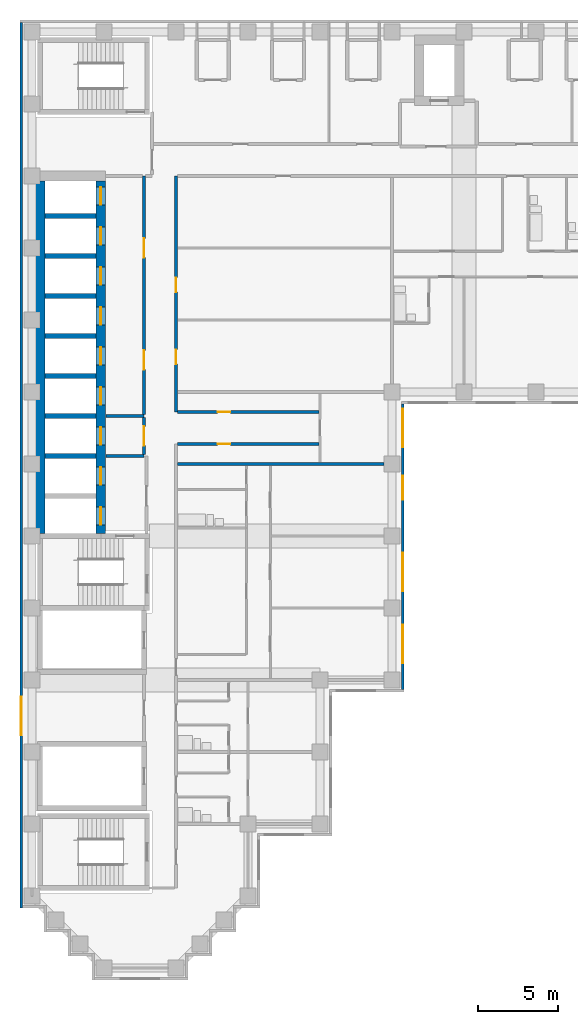
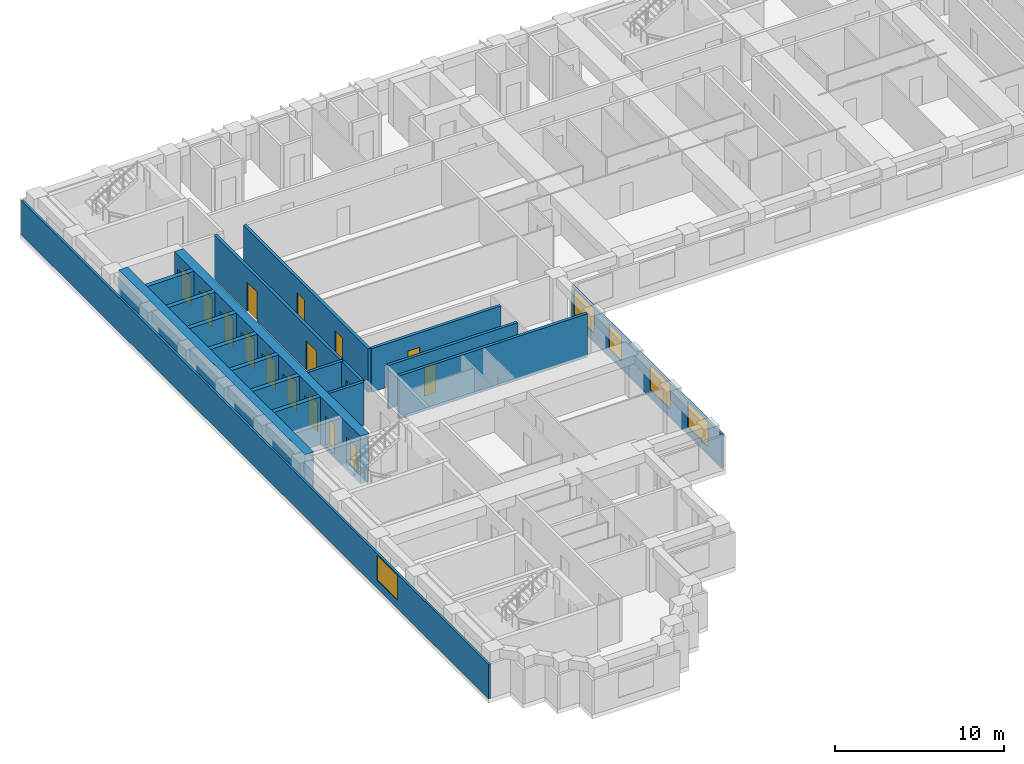
# One storey, part 4 of 12: 19 walls, 16 doors, 5 windows, 21 openings.
"""IFC4 building model written with IfcOpenShell, lengths in metres."""

from ifc_helpers import new_model, si_unit, direction, frame, frame_2d, origin, place, context, subcontext, project, spatial, rectangle, extrude, material, layer, layer_set, type_object, element, fill, save


model = new_model("IFC4")

# Units and contexts
model_context = context("Model", 3, precision=1e-05, world=origin(), true_north=direction((0.0, 1.0)))
body_context = subcontext(model_context, "Body", "Model", "MODEL_VIEW")
ifc_project = project(units=[si_unit("LENGTHUNIT", "METRE"), si_unit("AREAUNIT", "SQUARE_METRE"), si_unit("VOLUMEUNIT", "CUBIC_METRE"), si_unit("PLANEANGLEUNIT", "RADIAN"), si_unit("MASSUNIT", "GRAM", prefix="KILO")], contexts=[model_context])

# Site, building, storey
site_placement = place(None, origin())
site = spatial("IfcSite", under=ifc_project, at=site_placement, CompositionType="ELEMENT")
building_placement = place(site_placement, origin())
building = spatial("IfcBuilding", under=site, at=building_placement, Name="Firuza Court", CompositionType="ELEMENT")
storey_placement = place(building_placement, frame((0.0, 0.0, 170.0)))
storey = spatial("IfcBuildingStorey", under=building, at=storey_placement, Name="L43", CompositionType="ELEMENT", Elevation=170.0)

# Walls
ifc_material_1 = material(Name="Concrete C60/75", Category="concrete")
ifc_layer_1 = layer(ifc_material_1, 0.300048828125)
ifc_layer_set_1 = layer_set([ifc_layer_1], Name="Concrete C60/75")
wall_type_1 = type_object("IfcWallType", Name="Core wall 300 C60/75", PredefinedType="SHEAR", material=ifc_layer_set_1)
for number, where, z_axis, x_axis, name in (
    (1, (0.800048828125, 32.0, -0.300048828125), (0.0, 0.0, 1.0), (1.0, 0.0, 0.0), "Core wall lift shaft L43"),
    (2, (0.800048828125, 34.5, -0.300048828125), (0.0, 0.0, 1.0), (1.0, 0.0, 0.0), "Core wall lift shaft L43"),
    (3, (0.800048828125, 37.0, -0.300048828125), (0.0, 0.0, 1.0), (1.0, 0.0, 0.0), "Core wall lift shaft L43"),
    (4, (0.800048828125, 39.5, -0.300048828125), (0.0, 0.0, 1.0), (1.0, 0.0, 0.0), "Core wall lift shaft L43"),
    (5, (0.800048828125, 42.0, -0.300048828125), (0.0, 0.0, 1.0), (1.0, 0.0, 0.0), "Core wall lift shaft L43"),
    (6, (0.800048828125, 44.5, -0.300048828125), (0.0, 0.0, 1.0), (1.0, 0.0, 0.0), "Core wall lift shaft L43"),
    (7, (0.800048828125, 47.0, -0.300048828125), (0.0, 0.0, 1.0), (1.0, 0.0, 0.0), "Core wall lift shaft L43"),
):
    element("IfcWall", number, at=place(storey_placement, frame(where, z_axis=z_axis, x_axis=x_axis)), inside=storey, type_object=wall_type_1, Name=name, PredefinedType="SHEAR", context=body_context, shape_type="SweptSolid", body=[
        extrude(rectangle(XDim=3.199951171875, YDim=0.300048828125, at=frame_2d((1.60009765625, 0.0))), origin(), (0.0, 0.0, 1.0), 3.449951171875),
    ])
ifc_layer_2 = layer(ifc_material_1, 0.60009765625)
ifc_layer_set_2 = layer_set([ifc_layer_2], Name="Concrete C60/75")
wall_type_2 = type_object("IfcWallType", Name="Core wall 600 C60/75", PredefinedType="SHEAR", material=ifc_layer_set_2)
wall_1_placement = place(storey_placement, frame((0.5, 27.14990234375, -0.300048828125), z_axis=(0.0, 0.0, 1.0), x_axis=(0.0, 1.0, 0.0)))
element("IfcWall", 8, at=wall_1_placement, inside=storey, type_object=wall_type_2, Name="Core wall lift shaft L43", PredefinedType="SHEAR", context=body_context, shape_type="SweptSolid", body=[
    extrude(rectangle(XDim=22.050048828125, YDim=0.60009765625, at=frame_2d((11.02490234375, 0.0))), origin(), (0.0, 0.0, 1.0), 3.449951171875),
])

# Wall, openings, doors
wall_2_placement = place(storey_placement, frame((4.300048828125, 27.14990234375, -0.300048828125), z_axis=(0.0, 0.0, 1.0), x_axis=(0.0, 1.0, 0.0)))
wall_2 = element("IfcWall", 9, at=wall_2_placement, inside=storey, type_object=wall_type_2, Name="Core wall lift shaft L43", PredefinedType="SHEAR", context=body_context, shape_type="SweptSolid", body=[
    extrude(rectangle(XDim=22.050048828125, YDim=0.60009765625, at=frame_2d((11.02490234375, 0.0))), origin(), (0.0, 0.0, 1.0), 3.449951171875),
])
opening_1_placement = place(wall_2_placement, frame((3.050048828125, 0.0, 0.300048828125)))
opening_1 = element("IfcOpeningElement", 10, at=opening_1_placement, cuts=wall_2, Name="Opening LD-FL1-43", PredefinedType="OPENING", context=body_context, shape_type="SweptSolid", body=[
    extrude(rectangle(XDim=1.10009765625, YDim=2.10009765625, at=frame_2d((0.550048828125, 1.050048828125))), frame((0.0, 0.31201171875, 0.0), z_axis=(0.0, -1.0, 0.0), x_axis=(1.0, 0.0, 0.0)), (0.0, 0.0, 1.0), 0.6240234375),
])
opening_2_placement = place(wall_2_placement, frame((0.550048828125, 0.0, 0.300048828125)))
opening_2 = element("IfcOpeningElement", 11, at=opening_2_placement, cuts=wall_2, Name="Opening LD-FL2-43", PredefinedType="OPENING", context=body_context, shape_type="SweptSolid", body=[
    extrude(rectangle(XDim=1.10009765625, YDim=2.10009765625, at=frame_2d((0.550048828125, 1.050048828125))), frame((0.0, 0.31201171875, 0.0), z_axis=(0.0, -1.0, 0.0), x_axis=(1.0, 0.0, 0.0)), (0.0, 0.0, 1.0), 0.6240234375),
])
opening_3_placement = place(wall_2_placement, frame((20.550048828125, 0.0, 0.300048828125)))
opening_3 = element("IfcOpeningElement", 12, at=opening_3_placement, cuts=wall_2, Name="Opening LD-HB1-43", PredefinedType="OPENING", context=body_context, shape_type="SweptSolid", body=[
    extrude(rectangle(XDim=1.10009765625, YDim=2.10009765625, at=frame_2d((0.550048828125, 1.050048828125))), frame((0.0, 0.31201171875, 0.0), z_axis=(0.0, -1.0, 0.0), x_axis=(1.0, 0.0, 0.0)), (0.0, 0.0, 1.0), 0.6240234375),
])
opening_4_placement = place(wall_2_placement, frame((18.050048828125, 0.0, 0.300048828125)))
opening_4 = element("IfcOpeningElement", 13, at=opening_4_placement, cuts=wall_2, Name="Opening LD-HB2-43", PredefinedType="OPENING", context=body_context, shape_type="SweptSolid", body=[
    extrude(rectangle(XDim=1.10009765625, YDim=2.10009765625, at=frame_2d((0.550048828125, 1.050048828125))), frame((0.0, 0.31201171875, 0.0), z_axis=(0.0, -1.0, 0.0), x_axis=(1.0, 0.0, 0.0)), (0.0, 0.0, 1.0), 0.6240234375),
])
opening_5_placement = place(wall_2_placement, frame((15.550048828125, 0.0, 0.300048828125)))
opening_5 = element("IfcOpeningElement", 14, at=opening_5_placement, cuts=wall_2, Name="Opening LD-HB3-43", PredefinedType="OPENING", context=body_context, shape_type="SweptSolid", body=[
    extrude(rectangle(XDim=1.10009765625, YDim=2.10009765625, at=frame_2d((0.550048828125, 1.050048828125))), frame((0.0, 0.31201171875, 0.0), z_axis=(0.0, -1.0, 0.0), x_axis=(1.0, 0.0, 0.0)), (0.0, 0.0, 1.0), 0.6240234375),
])
opening_6_placement = place(wall_2_placement, frame((13.050048828125, 0.0, 0.300048828125)))
opening_6 = element("IfcOpeningElement", 15, at=opening_6_placement, cuts=wall_2, Name="Opening LD-HB4-43", PredefinedType="OPENING", context=body_context, shape_type="SweptSolid", body=[
    extrude(rectangle(XDim=1.10009765625, YDim=2.10009765625, at=frame_2d((0.550048828125, 1.050048828125))), frame((0.0, 0.31201171875, 0.0), z_axis=(0.0, -1.0, 0.0), x_axis=(1.0, 0.0, 0.0)), (0.0, 0.0, 1.0), 0.6240234375),
])
opening_7_placement = place(wall_2_placement, frame((10.550048828125, 0.0, 0.300048828125)))
opening_7 = element("IfcOpeningElement", 16, at=opening_7_placement, cuts=wall_2, Name="Opening LD-HB5-43", PredefinedType="OPENING", context=body_context, shape_type="SweptSolid", body=[
    extrude(rectangle(XDim=1.10009765625, YDim=2.10009765625, at=frame_2d((0.550048828125, 1.050048828125))), frame((0.0, 0.31201171875, 0.0), z_axis=(0.0, -1.0, 0.0), x_axis=(1.0, 0.0, 0.0)), (0.0, 0.0, 1.0), 0.6240234375),
])
opening_8_placement = place(wall_2_placement, frame((8.050048828125, 0.0, 0.300048828125)))
opening_8 = element("IfcOpeningElement", 17, at=opening_8_placement, cuts=wall_2, Name="Opening LD-HB6-43", PredefinedType="OPENING", context=body_context, shape_type="SweptSolid", body=[
    extrude(rectangle(XDim=1.10009765625, YDim=2.10009765625, at=frame_2d((0.550048828125, 1.050048828125))), frame((0.0, 0.31201171875, 0.0), z_axis=(0.0, -1.0, 0.0), x_axis=(1.0, 0.0, 0.0)), (0.0, 0.0, 1.0), 0.6240234375),
])
opening_9_placement = place(wall_2_placement, frame((5.550048828125, 0.0, 0.300048828125)))
opening_9 = element("IfcOpeningElement", 18, at=opening_9_placement, cuts=wall_2, Name="Opening LD-SL1-43", PredefinedType="OPENING", context=body_context, shape_type="SweptSolid", body=[
    extrude(rectangle(XDim=1.10009765625, YDim=2.10009765625, at=frame_2d((0.550048828125, 1.050048828125))), frame((0.0, 0.31201171875, 0.0), z_axis=(0.0, -1.0, 0.0), x_axis=(1.0, 0.0, 0.0)), (0.0, 0.0, 1.0), 0.6240234375),
])
ifc_material_2 = material(Name="Stainless steel 1.4301 door leaf", Category="steel")
door_type_1 = type_object("IfcDoorType", Name="Lift landing door 1100", OperationType="SLIDING_TO_LEFT", PredefinedType="DOOR", material=ifc_material_2)
door_1_placement = place(opening_1_placement, origin())
door_1 = element("IfcDoor", 19, at=door_1_placement, inside=storey, type_object=door_type_1, Name="Landing door FL1", OperationType="SLIDING_TO_LEFT", OverallHeight=2.10009765625, OverallWidth=1.10009765625, PredefinedType="DOOR", context=body_context, shape_type="SweptSolid", body=[
    extrude(rectangle(XDim=1.10009765625, YDim=2.10009765625, at=frame_2d((0.550048828125, 1.050048828125))), frame((0.0, 0.02490234375, 0.0), z_axis=(0.0, -1.0, 0.0), x_axis=(1.0, 0.0, 0.0)), (0.0, 0.0, 1.0), 0.050048828125),
])
fill(opening_1, door_1)
door_2_placement = place(opening_2_placement, origin())
door_2 = element("IfcDoor", 20, at=door_2_placement, inside=storey, type_object=door_type_1, Name="Landing door FL2", OperationType="SLIDING_TO_LEFT", OverallHeight=2.10009765625, OverallWidth=1.10009765625, PredefinedType="DOOR", context=body_context, shape_type="SweptSolid", body=[
    extrude(rectangle(XDim=1.10009765625, YDim=2.10009765625, at=frame_2d((0.550048828125, 1.050048828125))), frame((0.0, 0.02490234375, 0.0), z_axis=(0.0, -1.0, 0.0), x_axis=(1.0, 0.0, 0.0)), (0.0, 0.0, 1.0), 0.050048828125),
])
fill(opening_2, door_2)
door_3_placement = place(opening_3_placement, origin())
door_3 = element("IfcDoor", 21, at=door_3_placement, inside=storey, type_object=door_type_1, Name="Landing door HB1", OperationType="SLIDING_TO_LEFT", OverallHeight=2.10009765625, OverallWidth=1.10009765625, PredefinedType="DOOR", context=body_context, shape_type="SweptSolid", body=[
    extrude(rectangle(XDim=1.10009765625, YDim=2.10009765625, at=frame_2d((0.550048828125, 1.050048828125))), frame((0.0, 0.02490234375, 0.0), z_axis=(0.0, -1.0, 0.0), x_axis=(1.0, 0.0, 0.0)), (0.0, 0.0, 1.0), 0.050048828125),
])
fill(opening_3, door_3)
door_4_placement = place(opening_4_placement, origin())
door_4 = element("IfcDoor", 22, at=door_4_placement, inside=storey, type_object=door_type_1, Name="Landing door HB2", OperationType="SLIDING_TO_LEFT", OverallHeight=2.10009765625, OverallWidth=1.10009765625, PredefinedType="DOOR", context=body_context, shape_type="SweptSolid", body=[
    extrude(rectangle(XDim=1.10009765625, YDim=2.10009765625, at=frame_2d((0.550048828125, 1.050048828125))), frame((0.0, 0.02490234375, 0.0), z_axis=(0.0, -1.0, 0.0), x_axis=(1.0, 0.0, 0.0)), (0.0, 0.0, 1.0), 0.050048828125),
])
fill(opening_4, door_4)
door_5_placement = place(opening_5_placement, origin())
door_5 = element("IfcDoor", 23, at=door_5_placement, inside=storey, type_object=door_type_1, Name="Landing door HB3", OperationType="SLIDING_TO_LEFT", OverallHeight=2.10009765625, OverallWidth=1.10009765625, PredefinedType="DOOR", context=body_context, shape_type="SweptSolid", body=[
    extrude(rectangle(XDim=1.10009765625, YDim=2.10009765625, at=frame_2d((0.550048828125, 1.050048828125))), frame((0.0, 0.02490234375, 0.0), z_axis=(0.0, -1.0, 0.0), x_axis=(1.0, 0.0, 0.0)), (0.0, 0.0, 1.0), 0.050048828125),
])
fill(opening_5, door_5)
door_6_placement = place(opening_6_placement, origin())
door_6 = element("IfcDoor", 24, at=door_6_placement, inside=storey, type_object=door_type_1, Name="Landing door HB4", OperationType="SLIDING_TO_LEFT", OverallHeight=2.10009765625, OverallWidth=1.10009765625, PredefinedType="DOOR", context=body_context, shape_type="SweptSolid", body=[
    extrude(rectangle(XDim=1.10009765625, YDim=2.10009765625, at=frame_2d((0.550048828125, 1.050048828125))), frame((0.0, 0.02490234375, 0.0), z_axis=(0.0, -1.0, 0.0), x_axis=(1.0, 0.0, 0.0)), (0.0, 0.0, 1.0), 0.050048828125),
])
fill(opening_6, door_6)
door_7_placement = place(opening_7_placement, origin())
door_7 = element("IfcDoor", 25, at=door_7_placement, inside=storey, type_object=door_type_1, Name="Landing door HB5", OperationType="SLIDING_TO_LEFT", OverallHeight=2.10009765625, OverallWidth=1.10009765625, PredefinedType="DOOR", context=body_context, shape_type="SweptSolid", body=[
    extrude(rectangle(XDim=1.10009765625, YDim=2.10009765625, at=frame_2d((0.550048828125, 1.050048828125))), frame((0.0, 0.02490234375, 0.0), z_axis=(0.0, -1.0, 0.0), x_axis=(1.0, 0.0, 0.0)), (0.0, 0.0, 1.0), 0.050048828125),
])
fill(opening_7, door_7)
door_8_placement = place(opening_8_placement, origin())
door_8 = element("IfcDoor", 26, at=door_8_placement, inside=storey, type_object=door_type_1, Name="Landing door HB6", OperationType="SLIDING_TO_LEFT", OverallHeight=2.10009765625, OverallWidth=1.10009765625, PredefinedType="DOOR", context=body_context, shape_type="SweptSolid", body=[
    extrude(rectangle(XDim=1.10009765625, YDim=2.10009765625, at=frame_2d((0.550048828125, 1.050048828125))), frame((0.0, 0.02490234375, 0.0), z_axis=(0.0, -1.0, 0.0), x_axis=(1.0, 0.0, 0.0)), (0.0, 0.0, 1.0), 0.050048828125),
])
fill(opening_8, door_8)
door_9_placement = place(opening_9_placement, origin())
door_9 = element("IfcDoor", 27, at=door_9_placement, inside=storey, type_object=door_type_1, Name="Landing door SL1", OperationType="SLIDING_TO_LEFT", OverallHeight=2.10009765625, OverallWidth=1.10009765625, PredefinedType="DOOR", context=body_context, shape_type="SweptSolid", body=[
    extrude(rectangle(XDim=1.10009765625, YDim=2.10009765625, at=frame_2d((0.550048828125, 1.050048828125))), frame((0.0, 0.02490234375, 0.0), z_axis=(0.0, -1.0, 0.0), x_axis=(1.0, 0.0, 0.0)), (0.0, 0.0, 1.0), 0.050048828125),
])
fill(opening_9, door_9)

# Wall, opening, door
ifc_material_3 = material(Name="Blockwork, plastered both sides", Category="masonry")
ifc_layer_3 = layer(ifc_material_3, 0.199951171875)
ifc_layer_set_3 = layer_set([ifc_layer_3], Name="Blockwork, plastered both sides")
wall_type_3 = type_object("IfcWallType", Name="Corridor wall 200", PredefinedType="PARTITIONING", material=ifc_layer_set_3)
wall_3_placement = place(storey_placement, frame((9.10009765625, 32.75, 0.0), z_axis=(0.0, 0.0, 1.0), x_axis=(1.0, 0.0, 0.0)))
wall_3 = element("IfcWall", 28, at=wall_3_placement, inside=storey, type_object=wall_type_3, Name="Corridor wall 200 L43", PredefinedType="PARTITIONING", context=body_context, shape_type="SweptSolid", body=[
    extrude(rectangle(XDim=8.849853515625, YDim=0.199951171875, at=frame_2d((4.4248046875, 0.0))), origin(), (0.0, 0.0, 1.0), 3.14990234375),
])
opening_10_placement = place(wall_3_placement, frame((2.5, 0.0, 0.0)))
opening_10 = element("IfcOpeningElement", 29, at=opening_10_placement, cuts=wall_3, Name="Opening D43036", PredefinedType="OPENING", context=body_context, shape_type="SweptSolid", body=[
    extrude(rectangle(XDim=0.800048828125, YDim=2.10009765625, at=frame_2d((0.39990234375, 1.050048828125))), frame((0.0, 0.11181640625, 0.0), z_axis=(0.0, -1.0, 0.0), x_axis=(1.0, 0.0, 0.0)), (0.0, 0.0, 1.0), 0.223876953125),
])
ifc_material_4 = material(Name="Timber door leaf in hardwood frame", Category="wood")
door_type_2 = type_object("IfcDoorType", Name="Room door 800 EI 30", OperationType="SINGLE_SWING_LEFT", PredefinedType="DOOR", material=ifc_material_4)
door_10_placement = place(opening_10_placement, frame((0.800048828125, 0.0, 0.0), z_axis=(0.0, 0.0, 1.0), x_axis=(-1.0, 0.0, 0.0)))
door_10 = element("IfcDoor", 30, at=door_10_placement, inside=storey, type_object=door_type_2, Name="Store door", OperationType="SINGLE_SWING_RIGHT", OverallHeight=2.10009765625, OverallWidth=0.800048828125, PredefinedType="DOOR", context=body_context, shape_type="SweptSolid", body=[
    extrude(rectangle(XDim=0.800048828125, YDim=2.10009765625, at=frame_2d((0.39990234375, 1.050048828125))), frame((0.0, 0.02490234375, 0.0), z_axis=(0.0, -1.0, 0.0), x_axis=(1.0, 0.0, 0.0)), (0.0, 0.0, 1.0), 0.050048828125),
])
fill(opening_10, door_10)

# Wall, openings, doors
wall_4_placement = place(storey_placement, frame((9.0, 34.75, 0.0), z_axis=(0.0, 0.0, 1.0), x_axis=(0.0, 1.0, 0.0)))
wall_4 = element("IfcWall", 31, at=wall_4_placement, inside=storey, type_object=wall_type_3, Name="Corridor wall 200 L43", PredefinedType="PARTITIONING", context=body_context, shape_type="SweptSolid", body=[
    extrude(rectangle(XDim=14.75, YDim=0.199951171875, at=frame_2d((7.375, 0.0))), origin(), (0.0, 0.0, 1.0), 3.14990234375),
])
opening_11_placement = place(wall_4_placement, frame((3.0, 0.0, 0.0)))
opening_11 = element("IfcOpeningElement", 32, at=opening_11_placement, cuts=wall_4, Name="Opening D43037", PredefinedType="OPENING", context=body_context, shape_type="SweptSolid", body=[
    extrude(rectangle(XDim=0.89990234375, YDim=2.10009765625, at=frame_2d((0.449951171875, 1.050048828125))), frame((0.0, 0.11181640625, 0.0), z_axis=(0.0, -1.0, 0.0), x_axis=(1.0, 0.0, 0.0)), (0.0, 0.0, 1.0), 0.223876953125),
])
opening_12_placement = place(wall_4_placement, frame((7.5, 0.0, 0.0)))
opening_12 = element("IfcOpeningElement", 33, at=opening_12_placement, cuts=wall_4, Name="Opening D43038", PredefinedType="OPENING", context=body_context, shape_type="SweptSolid", body=[
    extrude(rectangle(XDim=0.89990234375, YDim=2.10009765625, at=frame_2d((0.449951171875, 1.050048828125))), frame((0.0, 0.11181640625, 0.0), z_axis=(0.0, -1.0, 0.0), x_axis=(1.0, 0.0, 0.0)), (0.0, 0.0, 1.0), 0.223876953125),
])
ifc_material_5 = material(Name="Timber door leaf in hardwood frame", Category="wood")
door_type_3 = type_object("IfcDoorType", Name="Room door 900 EI 30", OperationType="SINGLE_SWING_LEFT", PredefinedType="DOOR", material=ifc_material_5)
door_11_placement = place(opening_11_placement, frame((0.89990234375, 0.0, 0.0), z_axis=(0.0, 0.0, 1.0), x_axis=(-1.0, 0.0, 0.0)))
door_11 = element("IfcDoor", 34, at=door_11_placement, inside=storey, type_object=door_type_3, Name="Meeting room door", OperationType="SINGLE_SWING_RIGHT", OverallHeight=2.10009765625, OverallWidth=0.89990234375, PredefinedType="DOOR", context=body_context, shape_type="SweptSolid", body=[
    extrude(rectangle(XDim=0.89990234375, YDim=2.10009765625, at=frame_2d((0.449951171875, 1.050048828125))), frame((0.0, 0.02490234375, 0.0), z_axis=(0.0, -1.0, 0.0), x_axis=(1.0, 0.0, 0.0)), (0.0, 0.0, 1.0), 0.050048828125),
])
fill(opening_11, door_11)
door_12_placement = place(opening_12_placement, origin())
door_12 = element("IfcDoor", 35, at=door_12_placement, inside=storey, type_object=door_type_3, Name="Cinema room door", OperationType="SINGLE_SWING_LEFT", OverallHeight=2.10009765625, OverallWidth=0.89990234375, PredefinedType="DOOR", context=body_context, shape_type="SweptSolid", body=[
    extrude(rectangle(XDim=0.89990234375, YDim=2.10009765625, at=frame_2d((0.449951171875, 1.050048828125))), frame((0.0, 0.02490234375, 0.0), z_axis=(0.0, -1.0, 0.0), x_axis=(1.0, 0.0, 0.0)), (0.0, 0.0, 1.0), 0.050048828125),
])
fill(opening_12, door_12)

# Wall, opening, door
wall_5_placement = place(storey_placement, frame((9.10009765625, 34.75, 0.0), z_axis=(0.0, 0.0, 1.0), x_axis=(1.0, 0.0, 0.0)))
wall_5 = element("IfcWall", 36, at=wall_5_placement, inside=storey, type_object=wall_type_3, Name="Corridor wall 200 L43", PredefinedType="PARTITIONING", context=body_context, shape_type="SweptSolid", body=[
    extrude(rectangle(XDim=8.849853515625, YDim=0.199951171875, at=frame_2d((4.4248046875, 0.0))), origin(), (0.0, 0.0, 1.0), 3.14990234375),
])
opening_13_placement = place(wall_5_placement, frame((2.5, 0.0, 0.0)))
opening_13 = element("IfcOpeningElement", 37, at=opening_13_placement, cuts=wall_5, Name="Opening D43039", PredefinedType="OPENING", context=body_context, shape_type="SweptSolid", body=[
    extrude(rectangle(XDim=0.800048828125, YDim=2.10009765625, at=frame_2d((0.39990234375, 1.050048828125))), frame((0.0, 0.11181640625, 0.0), z_axis=(0.0, -1.0, 0.0), x_axis=(1.0, 0.0, 0.0)), (0.0, 0.0, 1.0), 0.223876953125),
])
door_13_placement = place(opening_13_placement, origin())
door_13 = element("IfcDoor", 38, at=door_13_placement, inside=storey, type_object=door_type_2, Name="Store door", OperationType="SINGLE_SWING_LEFT", OverallHeight=2.10009765625, OverallWidth=0.800048828125, PredefinedType="DOOR", context=body_context, shape_type="SweptSolid", body=[
    extrude(rectangle(XDim=0.800048828125, YDim=2.10009765625, at=frame_2d((0.39990234375, 1.050048828125))), frame((0.0, 0.02490234375, 0.0), z_axis=(0.0, -1.0, 0.0), x_axis=(1.0, 0.0, 0.0)), (0.0, 0.0, 1.0), 0.050048828125),
])
fill(opening_13, door_13)

# Wall
ifc_layer_4 = layer(ifc_material_3, 0.199951171875)
ifc_layer_set_4 = layer_set([ifc_layer_4], Name="Blockwork, plastered both sides")
wall_type_4 = type_object("IfcWallType", Name="Party wall 200", PredefinedType="PARTITIONING", material=ifc_layer_set_4)
wall_6_placement = place(storey_placement, frame((9.10009765625, 31.5, 0.0), z_axis=(0.0, 0.0, 1.0), x_axis=(1.0, 0.0, 0.0)))
element("IfcWall", 39, at=wall_6_placement, inside=storey, type_object=wall_type_4, Name="Party wall 200 L43", PredefinedType="PARTITIONING", context=body_context, shape_type="SweptSolid", body=[
    extrude(rectangle(XDim=12.89990234375, YDim=0.199951171875, at=frame_2d((6.449951171875, 0.0))), origin(), (0.0, 0.0, 1.0), 3.14990234375),
])

# Wall, openings, windows
ifc_material_6 = material(Name="Ceramic tile", Category="ceramic")
ifc_layer_5 = layer(ifc_material_6, 0.02001953125)
ifc_material_7 = material(Name="Mineral wool insulation", Category="insulation")
ifc_layer_6 = layer(ifc_material_7, 0.050048828125)
ifc_material_8 = material(Name="Concrete C40/50 precast", Category="concrete")
ifc_layer_7 = layer(ifc_material_8, 0.080078125)
ifc_layer_set_5 = layer_set([ifc_layer_5, ifc_layer_6, ifc_layer_7], Name="Concrete C40/50 precast")
wall_type_5 = type_object("IfcWallType", Name="Precast cladding wall with turquoise TILE PANEL face 150", PredefinedType="STANDARD", material=ifc_layer_set_5)
wall_7_placement = place(storey_placement, frame((23.175048828125, 17.39990234375, 0.0), z_axis=(0.0, 0.0, 1.0), x_axis=(0.0, 1.0, 0.0)))
wall_7 = element("IfcWall", 40, at=wall_7_placement, inside=storey, type_object=wall_type_5, Name="Facade wall L43 E", PredefinedType="STANDARD", context=body_context, shape_type="SweptSolid", body=[
    extrude(rectangle(XDim=17.85009765625, YDim=0.14990234375, at=frame_2d((8.925048828125, 0.0))), origin(), (0.0, 0.0, 1.0), 2.5),
])
opening_14_placement = place(wall_7_placement, frame((1.64990234375, 0.0, 0.60009765625)))
opening_14 = element("IfcOpeningElement", 41, at=opening_14_placement, cuts=wall_7, Name="Opening W1", PredefinedType="OPENING", context=body_context, shape_type="SweptSolid", body=[
    extrude(rectangle(XDim=2.39990234375, YDim=1.800048828125, at=frame_2d((1.199951171875, 0.89990234375))), frame((0.0, 0.0869140625, 0.0), z_axis=(0.0, -1.0, 0.0), x_axis=(1.0, 0.0, 0.0)), (0.0, 0.0, 1.0), 0.173828125),
])
opening_15_placement = place(wall_7_placement, frame((6.14990234375, 0.0, 0.60009765625)))
opening_15 = element("IfcOpeningElement", 42, at=opening_15_placement, cuts=wall_7, Name="Opening W1", PredefinedType="OPENING", context=body_context, shape_type="SweptSolid", body=[
    extrude(rectangle(XDim=2.39990234375, YDim=1.800048828125, at=frame_2d((1.199951171875, 0.89990234375))), frame((0.0, 0.0869140625, 0.0), z_axis=(0.0, -1.0, 0.0), x_axis=(1.0, 0.0, 0.0)), (0.0, 0.0, 1.0), 0.173828125),
])
opening_16_placement = place(wall_7_placement, frame((11.87451171875, 0.0, 0.60009765625)))
opening_16 = element("IfcOpeningElement", 43, at=opening_16_placement, cuts=wall_7, Name="Opening W2", PredefinedType="OPENING", context=body_context, shape_type="SweptSolid", body=[
    extrude(rectangle(XDim=1.5, YDim=1.800048828125, at=frame_2d((0.75, 0.89990234375))), frame((0.0, 0.0869140625, 0.0), z_axis=(0.0, -1.0, 0.0), x_axis=(1.0, 0.0, 0.0)), (0.0, 0.0, 1.0), 0.173828125),
])
opening_17_placement = place(wall_7_placement, frame((15.14990234375, 0.0, 0.60009765625)))
opening_17 = element("IfcOpeningElement", 44, at=opening_17_placement, cuts=wall_7, Name="Opening W1", PredefinedType="OPENING", context=body_context, shape_type="SweptSolid", body=[
    extrude(rectangle(XDim=2.39990234375, YDim=1.800048828125, at=frame_2d((1.199951171875, 0.89990234375))), frame((0.0, 0.0869140625, 0.0), z_axis=(0.0, -1.0, 0.0), x_axis=(1.0, 0.0, 0.0)), (0.0, 0.0, 1.0), 0.173828125),
])
ifc_material_9 = material(Name="Aluminium frame, triple clear glazing", Category="aluminium")
window_type_1 = type_object("IfcWindowType", Name="Window W1 2400 x 1800", PartitioningType="SINGLE_PANEL", PredefinedType="WINDOW", material=ifc_material_9)
window_1_placement = place(opening_14_placement, origin())
window_1 = element("IfcWindow", 45, at=window_1_placement, inside=storey, type_object=window_type_1, Name="Window L43", OverallHeight=1.800048828125, OverallWidth=2.39990234375, PartitioningType="SINGLE_PANEL", PredefinedType="WINDOW", context=body_context, shape_type="SweptSolid", body=[
    extrude(rectangle(XDim=2.39990234375, YDim=1.800048828125, at=frame_2d((1.199951171875, 0.89990234375))), frame((0.0, 0.030029296875, 0.0), z_axis=(0.0, -1.0, 0.0), x_axis=(1.0, 0.0, 0.0)), (0.0, 0.0, 1.0), 0.06005859375),
])
fill(opening_14, window_1)
window_2_placement = place(opening_15_placement, origin())
window_2 = element("IfcWindow", 46, at=window_2_placement, inside=storey, type_object=window_type_1, Name="Window L43", OverallHeight=1.800048828125, OverallWidth=2.39990234375, PartitioningType="SINGLE_PANEL", PredefinedType="WINDOW", context=body_context, shape_type="SweptSolid", body=[
    extrude(rectangle(XDim=2.39990234375, YDim=1.800048828125, at=frame_2d((1.199951171875, 0.89990234375))), frame((0.0, 0.030029296875, 0.0), z_axis=(0.0, -1.0, 0.0), x_axis=(1.0, 0.0, 0.0)), (0.0, 0.0, 1.0), 0.06005859375),
])
fill(opening_15, window_2)
window_3_placement = place(opening_17_placement, origin())
window_3 = element("IfcWindow", 47, at=window_3_placement, inside=storey, type_object=window_type_1, Name="Window L43", OverallHeight=1.800048828125, OverallWidth=2.39990234375, PartitioningType="SINGLE_PANEL", PredefinedType="WINDOW", context=body_context, shape_type="SweptSolid", body=[
    extrude(rectangle(XDim=2.39990234375, YDim=1.800048828125, at=frame_2d((1.199951171875, 0.89990234375))), frame((0.0, 0.030029296875, 0.0), z_axis=(0.0, -1.0, 0.0), x_axis=(1.0, 0.0, 0.0)), (0.0, 0.0, 1.0), 0.06005859375),
])
fill(opening_17, window_3)
ifc_material_10 = material(Name="Aluminium frame, triple clear glazing", Category="aluminium")
window_type_2 = type_object("IfcWindowType", Name="Window W2 1500 x 1800", PartitioningType="SINGLE_PANEL", PredefinedType="WINDOW", material=ifc_material_10)
window_4_placement = place(opening_16_placement, origin())
window_4 = element("IfcWindow", 48, at=window_4_placement, inside=storey, type_object=window_type_2, Name="Window L43", OverallHeight=1.800048828125, OverallWidth=1.5, PartitioningType="SINGLE_PANEL", PredefinedType="WINDOW", context=body_context, shape_type="SweptSolid", body=[
    extrude(rectangle(XDim=1.5, YDim=1.800048828125, at=frame_2d((0.75, 0.89990234375))), frame((0.0, 0.030029296875, 0.0), z_axis=(0.0, -1.0, 0.0), x_axis=(1.0, 0.0, 0.0)), (0.0, 0.0, 1.0), 0.06005859375),
])
fill(opening_16, window_4)

# Wall, opening, window
wall_8_placement = place(storey_placement, frame((-0.675048828125, 59.10009765625, 0.0), z_axis=(0.0, 0.0, 1.0), x_axis=(0.0, -1.0, 0.0)))
wall_8 = element("IfcWall", 49, at=wall_8_placement, inside=storey, type_object=wall_type_5, Name="Facade wall L43 W", PredefinedType="STANDARD", context=body_context, shape_type="SweptSolid", body=[
    extrude(rectangle(XDim=55.35009765625, YDim=0.14990234375, at=frame_2d((27.675048828125, 0.0))), origin(), (0.0, 0.0, 1.0), 2.5),
])
opening_18_placement = place(wall_8_placement, frame((42.14990234375, 0.0, 0.60009765625)))
opening_18 = element("IfcOpeningElement", 50, at=opening_18_placement, cuts=wall_8, Name="Opening W1", PredefinedType="OPENING", context=body_context, shape_type="SweptSolid", body=[
    extrude(rectangle(XDim=2.39990234375, YDim=1.800048828125, at=frame_2d((1.199951171875, 0.89990234375))), frame((0.0, 0.0869140625, 0.0), z_axis=(0.0, -1.0, 0.0), x_axis=(1.0, 0.0, 0.0)), (0.0, 0.0, 1.0), 0.173828125),
])
window_5_placement = place(opening_18_placement, origin())
window_5 = element("IfcWindow", 51, at=window_5_placement, inside=storey, type_object=window_type_1, Name="Window L43", OverallHeight=1.800048828125, OverallWidth=2.39990234375, PartitioningType="SINGLE_PANEL", PredefinedType="WINDOW", context=body_context, shape_type="SweptSolid", body=[
    extrude(rectangle(XDim=2.39990234375, YDim=1.800048828125, at=frame_2d((1.199951171875, 0.89990234375))), frame((0.0, 0.030029296875, 0.0), z_axis=(0.0, -1.0, 0.0), x_axis=(1.0, 0.0, 0.0)), (0.0, 0.0, 1.0), 0.06005859375),
])
fill(opening_18, window_5)

# Wall
ifc_material_11 = material(Name="Blockwork, fire-rated", Category="masonry")
ifc_layer_8 = layer(ifc_material_11, 0.199951171875)
ifc_layer_set_6 = layer_set([ifc_layer_8], Name="Blockwork, fire-rated")
wall_type_6 = type_object("IfcWallType", Name="Shaft wall 200", PredefinedType="PARTITIONING", material=ifc_layer_set_6)
wall_9_placement = place(storey_placement, frame((4.6201171875, 34.5, 0.0), z_axis=(0.0, 0.0, 1.0), x_axis=(1.0, 0.0, 0.0)))
element("IfcWall", 52, at=wall_9_placement, inside=storey, type_object=wall_type_6, Name="Shaft wall 200 L43", PredefinedType="PARTITIONING", context=body_context, shape_type="SweptSolid", body=[
    extrude(rectangle(XDim=2.3798828125, YDim=0.199951171875, at=frame_2d((1.18994140625, 0.0))), origin(), (0.0, 0.0, 1.0), 3.14990234375),
])

# Wall, openings, doors
wall_10_placement = place(storey_placement, frame((7.0, 34.60009765625, 0.0), z_axis=(0.0, 0.0, 1.0), x_axis=(0.0, 1.0, 0.0)))
wall_10 = element("IfcWall", 53, at=wall_10_placement, inside=storey, type_object=wall_type_6, Name="Shaft wall 200 L43", PredefinedType="PARTITIONING", context=body_context, shape_type="SweptSolid", body=[
    extrude(rectangle(XDim=14.89990234375, YDim=0.199951171875, at=frame_2d((7.449951171875, 0.0))), origin(), (0.0, 0.0, 1.0), 3.14990234375),
])
opening_19_placement = place(wall_10_placement, frame((2.800048828125, 0.0, 0.0)))
opening_19 = element("IfcOpeningElement", 54, at=opening_19_placement, cuts=wall_10, Name="Opening D43004", PredefinedType="OPENING", context=body_context, shape_type="SweptSolid", body=[
    extrude(rectangle(XDim=1.199951171875, YDim=2.10009765625, at=frame_2d((0.60009765625, 1.050048828125))), frame((0.0, 0.11181640625, 0.0), z_axis=(0.0, -1.0, 0.0), x_axis=(1.0, 0.0, 0.0)), (0.0, 0.0, 1.0), 0.223876953125),
])
opening_20_placement = place(wall_10_placement, frame((9.800048828125, 0.0, 0.0)))
opening_20 = element("IfcOpeningElement", 55, at=opening_20_placement, cuts=wall_10, Name="Opening D43005", PredefinedType="OPENING", context=body_context, shape_type="SweptSolid", body=[
    extrude(rectangle(XDim=1.199951171875, YDim=2.10009765625, at=frame_2d((0.60009765625, 1.050048828125))), frame((0.0, 0.11181640625, 0.0), z_axis=(0.0, -1.0, 0.0), x_axis=(1.0, 0.0, 0.0)), (0.0, 0.0, 1.0), 0.223876953125),
])
ifc_material_12 = material(Name="Timber door leaf in hardwood frame", Category="wood")
door_type_4 = type_object("IfcDoorType", Name="Lobby door 1200", OperationType="SINGLE_SWING_LEFT", PredefinedType="DOOR", material=ifc_material_12)
door_14_placement = place(opening_19_placement, origin())
door_14 = element("IfcDoor", 56, at=door_14_placement, inside=storey, type_object=door_type_4, Name="Lobby door", OperationType="SINGLE_SWING_LEFT", OverallHeight=2.10009765625, OverallWidth=1.199951171875, PredefinedType="DOOR", context=body_context, shape_type="SweptSolid", body=[
    extrude(rectangle(XDim=1.199951171875, YDim=2.10009765625, at=frame_2d((0.60009765625, 1.050048828125))), frame((0.0, 0.02490234375, 0.0), z_axis=(0.0, -1.0, 0.0), x_axis=(1.0, 0.0, 0.0)), (0.0, 0.0, 1.0), 0.050048828125),
])
fill(opening_19, door_14)
door_15_placement = place(opening_20_placement, origin())
door_15 = element("IfcDoor", 57, at=door_15_placement, inside=storey, type_object=door_type_4, Name="Lobby door", OperationType="SINGLE_SWING_RIGHT", OverallHeight=2.10009765625, OverallWidth=1.199951171875, PredefinedType="DOOR", context=body_context, shape_type="SweptSolid", body=[
    extrude(rectangle(XDim=1.199951171875, YDim=2.10009765625, at=frame_2d((0.60009765625, 1.050048828125))), frame((0.0, 0.02490234375, 0.0), z_axis=(0.0, -1.0, 0.0), x_axis=(1.0, 0.0, 0.0)), (0.0, 0.0, 1.0), 0.050048828125),
])
fill(opening_20, door_15)

# Wall
wall_11_placement = place(storey_placement, frame((4.6201171875, 32.0, 0.0), z_axis=(0.0, 0.0, 1.0), x_axis=(1.0, 0.0, 0.0)))
element("IfcWall", 58, at=wall_11_placement, inside=storey, type_object=wall_type_6, Name="Shaft wall 200 L43", PredefinedType="PARTITIONING", context=body_context, shape_type="SweptSolid", body=[
    extrude(rectangle(XDim=2.3798828125, YDim=0.199951171875, at=frame_2d((1.18994140625, 0.0))), origin(), (0.0, 0.0, 1.0), 3.14990234375),
])

# Wall, opening, door
wall_12_placement = place(storey_placement, frame((7.0, 32.10009765625, 0.0), z_axis=(0.0, 0.0, 1.0), x_axis=(0.0, 1.0, 0.0)))
wall_12 = element("IfcWall", 59, at=wall_12_placement, inside=storey, type_object=wall_type_6, Name="Shaft wall 200 L43", PredefinedType="PARTITIONING", context=body_context, shape_type="SweptSolid", body=[
    extrude(rectangle(XDim=2.2998046875, YDim=0.199951171875, at=frame_2d((1.14990234375, 0.0))), origin(), (0.0, 0.0, 1.0), 3.14990234375),
])
opening_21_placement = place(wall_12_placement, frame((0.550048828125, 0.0, 0.0)))
opening_21 = element("IfcOpeningElement", 60, at=opening_21_placement, cuts=wall_12, Name="Opening D43008", PredefinedType="OPENING", context=body_context, shape_type="SweptSolid", body=[
    extrude(rectangle(XDim=1.199951171875, YDim=2.10009765625, at=frame_2d((0.60009765625, 1.050048828125))), frame((0.0, 0.11181640625, 0.0), z_axis=(0.0, -1.0, 0.0), x_axis=(1.0, 0.0, 0.0)), (0.0, 0.0, 1.0), 0.223876953125),
])
door_16_placement = place(opening_21_placement, origin())
door_16 = element("IfcDoor", 61, at=door_16_placement, inside=storey, type_object=door_type_4, Name="Lobby door", OperationType="SINGLE_SWING_LEFT", OverallHeight=2.10009765625, OverallWidth=1.199951171875, PredefinedType="DOOR", context=body_context, shape_type="SweptSolid", body=[
    extrude(rectangle(XDim=1.199951171875, YDim=2.10009765625, at=frame_2d((0.60009765625, 1.050048828125))), frame((0.0, 0.02490234375, 0.0), z_axis=(0.0, -1.0, 0.0), x_axis=(1.0, 0.0, 0.0)), (0.0, 0.0, 1.0), 0.050048828125),
])
fill(opening_21, door_16)

save(model, "model.ifc")
